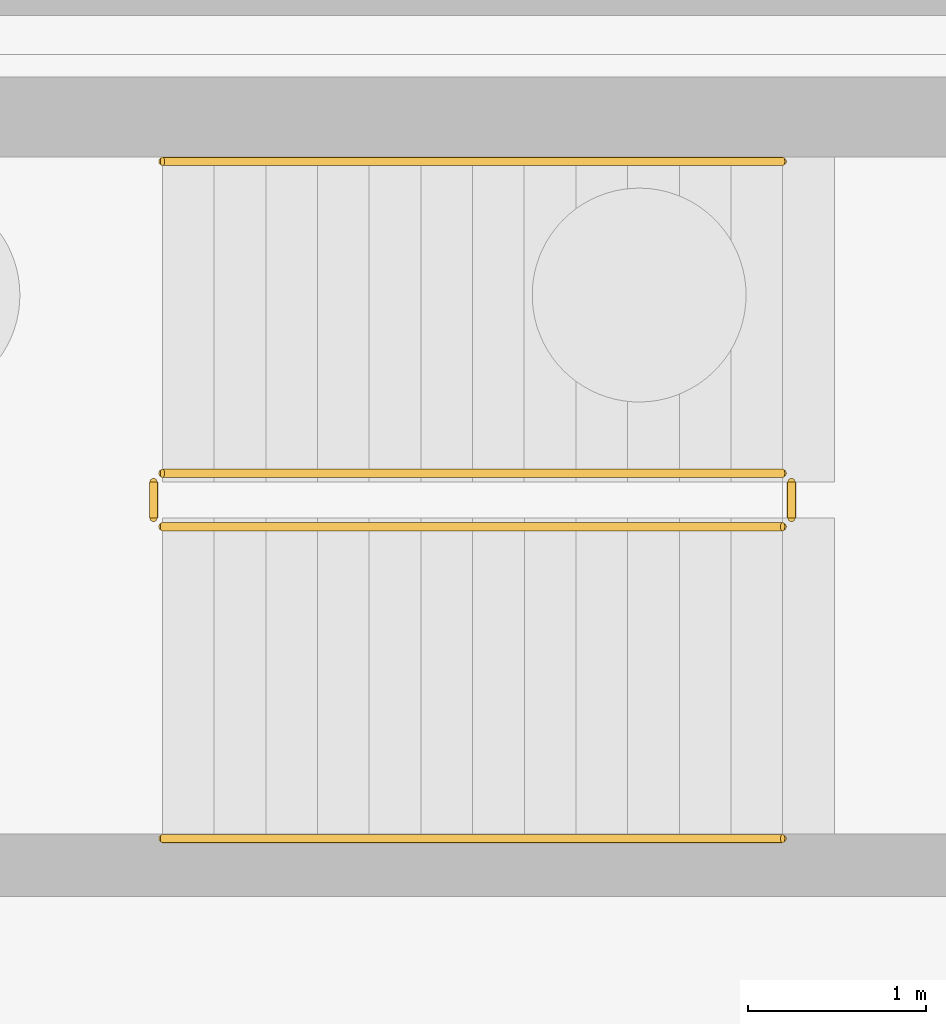
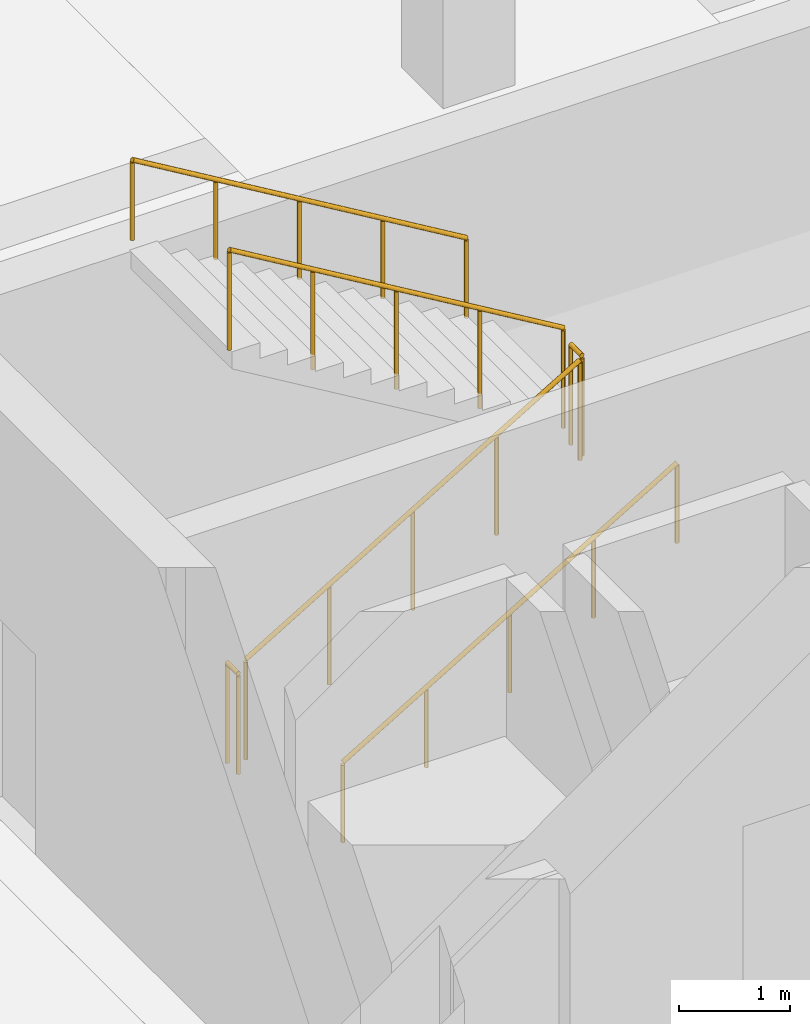
# One storey, part 45 of 49: 6 railings.
"""IFC4 building model written with IfcOpenShell, lengths in metres."""

from ifc_helpers import new_model, si_unit, direction, frame, origin, origin_2d, place, context, subcontext, project, spatial, circle, extrude, material, type_object, element, save


model = new_model("IFC4")

# Units and contexts
model_context = context("Model", 3, precision=1e-05, world=origin(), true_north=direction((0.0, 1.0)))
body_context = subcontext(model_context, "Body", "Model", "MODEL_VIEW")
ifc_project = project(units=[si_unit("LENGTHUNIT", "METRE"), si_unit("AREAUNIT", "SQUARE_METRE"), si_unit("VOLUMEUNIT", "CUBIC_METRE"), si_unit("PLANEANGLEUNIT", "RADIAN"), si_unit("MASSUNIT", "GRAM", prefix="KILO")], contexts=[model_context])

# Site, building, storey
site_placement = place(None, origin())
site = spatial("IfcSite", under=ifc_project, at=site_placement, CompositionType="ELEMENT")
building_placement = place(site_placement, origin())
building = spatial("IfcBuilding", under=site, at=building_placement, Name="Sollismere Congress Hotel", CompositionType="ELEMENT")
storey_placement = place(building_placement, frame((0.0, 0.0, -4.5)))
storey = spatial("IfcBuildingStorey", under=building, at=storey_placement, Name="B1", CompositionType="ELEMENT", Elevation=-4.5)

# Railings
ifc_material_1 = material(Name="Steel ASTM A500 Grade C", Category="steel")
railing_type_1 = type_object("IfcRailingType", Name="RL-GRD112", PredefinedType="GUARDRAIL", material=ifc_material_1)
railing_1_placement = place(storey_placement, frame((95.85009765625, 16.25, 0.173095703125)))
element("IfcRailing", 1, at=railing_1_placement, inside=storey, type_object=railing_type_1, Name="RLG-RG-ST-02-B1-1", PredefinedType="GUARDRAIL", context=body_context, shape_type="SweptSolid", body=[
    extrude(circle(Radius=0.02392578125, at=origin_2d()), frame((0.0, 0.0, 1.09619140625), z_axis=(0.858697190188, 0.0, 0.512483302717), x_axis=(0.0, 1.0, 0.0)), (0.0, 0.0, 1.0), 4.052734375),
    extrude(circle(Radius=0.02099609375, at=origin_2d()), origin(), (0.0, 0.0, 1.0), 1.072021484375),
    extrude(circle(Radius=0.02099609375, at=origin_2d()), frame((0.8701171875, 0.0, 0.519287109375)), (0.0, 0.0, 1.0), 1.072021484375),
    extrude(circle(Radius=0.02099609375, at=origin_2d()), frame((1.739990234375, 0.0, 1.03857421875)), (0.0, 0.0, 1.0), 1.072021484375),
    extrude(circle(Radius=0.02099609375, at=origin_2d()), frame((2.60986328125, 0.0, 1.5576171875)), (0.0, 0.0, 1.0), 1.072021484375),
    extrude(circle(Radius=0.02099609375, at=origin_2d()), frame((3.47998046875, 0.0, 2.076904296875)), (0.0, 0.0, 1.0), 1.072021484375),
])
railing_2_placement = place(storey_placement, frame((99.3798828125, 16.300048828125, 2.25)))
element("IfcRailing", 2, at=railing_2_placement, inside=storey, type_object=railing_type_1, Name="RLG-RG-ST-02-B1-2", PredefinedType="GUARDRAIL", context=body_context, shape_type="SweptSolid", body=[
    extrude(circle(Radius=0.02392578125, at=origin_2d()), frame((0.0, 0.0, 1.09619140625), z_axis=(0.0, 1.0, 0.0), x_axis=(-1.0, 0.0, 0.0)), (0.0, 0.0, 1.0), 0.199951171875),
    extrude(circle(Radius=0.02099609375, at=origin_2d()), origin(), (0.0, 0.0, 1.0), 1.072021484375),
    extrude(circle(Radius=0.02099609375, at=origin_2d()), frame((0.0, 0.199951171875, 0.0)), (0.0, 0.0, 1.0), 1.072021484375),
])
railing_3_placement = place(storey_placement, frame((99.330078125, 16.550048828125, 2.423095703125)))
element("IfcRailing", 3, at=railing_3_placement, inside=storey, type_object=railing_type_1, Name="RLG-RG-ST-02-B1-3", PredefinedType="GUARDRAIL", context=body_context, shape_type="SweptSolid", body=[
    extrude(circle(Radius=0.02392578125, at=origin_2d()), frame((0.0, 0.0, 1.09619140625), z_axis=(-0.858697190188, 0.0, 0.512483302717), x_axis=(0.0, -1.0, 0.0)), (0.0, 0.0, 1.0), 4.052734375),
    extrude(circle(Radius=0.02099609375, at=origin_2d()), origin(), (0.0, 0.0, 1.0), 1.072021484375),
    extrude(circle(Radius=0.02099609375, at=origin_2d()), frame((-0.8701171875, 0.0, 0.519287109375)), (0.0, 0.0, 1.0), 1.072021484375),
    extrude(circle(Radius=0.02099609375, at=origin_2d()), frame((-1.739990234375, 0.0, 1.03857421875)), (0.0, 0.0, 1.0), 1.072021484375),
    extrude(circle(Radius=0.02099609375, at=origin_2d()), frame((-2.60986328125, 0.0, 1.5576171875)), (0.0, 0.0, 1.0), 1.072021484375),
    extrude(circle(Radius=0.02099609375, at=origin_2d()), frame((-3.47998046875, 0.0, 2.076904296875)), (0.0, 0.0, 1.0), 1.072021484375),
])
railing_4_placement = place(storey_placement, frame((95.800048828125, 16.300048828125, 0.0)))
element("IfcRailing", 4, at=railing_4_placement, inside=storey, type_object=railing_type_1, Name="RLG-RG-ST-02-B1-4", PredefinedType="GUARDRAIL", context=body_context, shape_type="SweptSolid", body=[
    extrude(circle(Radius=0.02392578125, at=origin_2d()), frame((0.0, 0.0, 1.09619140625), z_axis=(0.0, 1.0, 0.0), x_axis=(-1.0, 0.0, 0.0)), (0.0, 0.0, 1.0), 0.199951171875),
    extrude(circle(Radius=0.02099609375, at=origin_2d()), origin(), (0.0, 0.0, 1.0), 1.072021484375),
    extrude(circle(Radius=0.02099609375, at=origin_2d()), frame((0.0, 0.199951171875, 0.0)), (0.0, 0.0, 1.0), 1.072021484375),
])
ifc_material_2 = material(Name="Brushed Architectural Bronze")
railing_type_2 = type_object("IfcRailingType", Name="RL-HND90", PredefinedType="HANDRAIL", material=ifc_material_2)
railing_5_placement = place(storey_placement, frame((95.85009765625, 14.5, 0.322265625)))
element("IfcRailing", 5, at=railing_5_placement, inside=storey, type_object=railing_type_2, Name="RLG-RH-ST-02-B1-1", PredefinedType="HANDRAIL", context=body_context, shape_type="SweptSolid", body=[
    extrude(circle(Radius=0.02392578125, at=origin_2d()), frame((0.0, 0.0, 0.8759765625), z_axis=(0.858697190188, 0.0, 0.512483302717), x_axis=(0.0, 1.0, 0.0)), (0.0, 0.0, 1.0), 4.052734375),
    extrude(circle(Radius=0.02099609375, at=origin_2d()), origin(), (0.0, 0.0, 1.0), 0.851806640625),
    extrude(circle(Radius=0.02099609375, at=origin_2d()), frame((0.8701171875, 0.0, 0.519287109375)), (0.0, 0.0, 1.0), 0.851806640625),
    extrude(circle(Radius=0.02099609375, at=origin_2d()), frame((1.739990234375, 0.0, 1.03857421875)), (0.0, 0.0, 1.0), 0.851806640625),
    extrude(circle(Radius=0.02099609375, at=origin_2d()), frame((2.60986328125, 0.0, 1.5576171875)), (0.0, 0.0, 1.0), 0.851806640625),
    extrude(circle(Radius=0.02099609375, at=origin_2d()), frame((3.47998046875, 0.0, 2.076904296875)), (0.0, 0.0, 1.0), 0.851806640625),
])
railing_6_placement = place(storey_placement, frame((99.330078125, 18.300048828125, 2.572265625)))
element("IfcRailing", 6, at=railing_6_placement, inside=storey, type_object=railing_type_2, Name="RLG-RH-ST-02-B1-2", PredefinedType="HANDRAIL", context=body_context, shape_type="SweptSolid", body=[
    extrude(circle(Radius=0.02392578125, at=origin_2d()), frame((0.0, 0.0, 0.8759765625), z_axis=(-0.858697190188, 0.0, 0.512483302717), x_axis=(0.0, -1.0, 0.0)), (0.0, 0.0, 1.0), 4.052734375),
    extrude(circle(Radius=0.02099609375, at=origin_2d()), origin(), (0.0, 0.0, 1.0), 0.851806640625),
    extrude(circle(Radius=0.02099609375, at=origin_2d()), frame((-0.8701171875, 0.0, 0.519287109375)), (0.0, 0.0, 1.0), 0.851806640625),
    extrude(circle(Radius=0.02099609375, at=origin_2d()), frame((-1.739990234375, 0.0, 1.03857421875)), (0.0, 0.0, 1.0), 0.851806640625),
    extrude(circle(Radius=0.02099609375, at=origin_2d()), frame((-2.60986328125, 0.0, 1.5576171875)), (0.0, 0.0, 1.0), 0.851806640625),
    extrude(circle(Radius=0.02099609375, at=origin_2d()), frame((-3.47998046875, 0.0, 2.076904296875)), (0.0, 0.0, 1.0), 0.851806640625),
])

save(model, "model.ifc")
